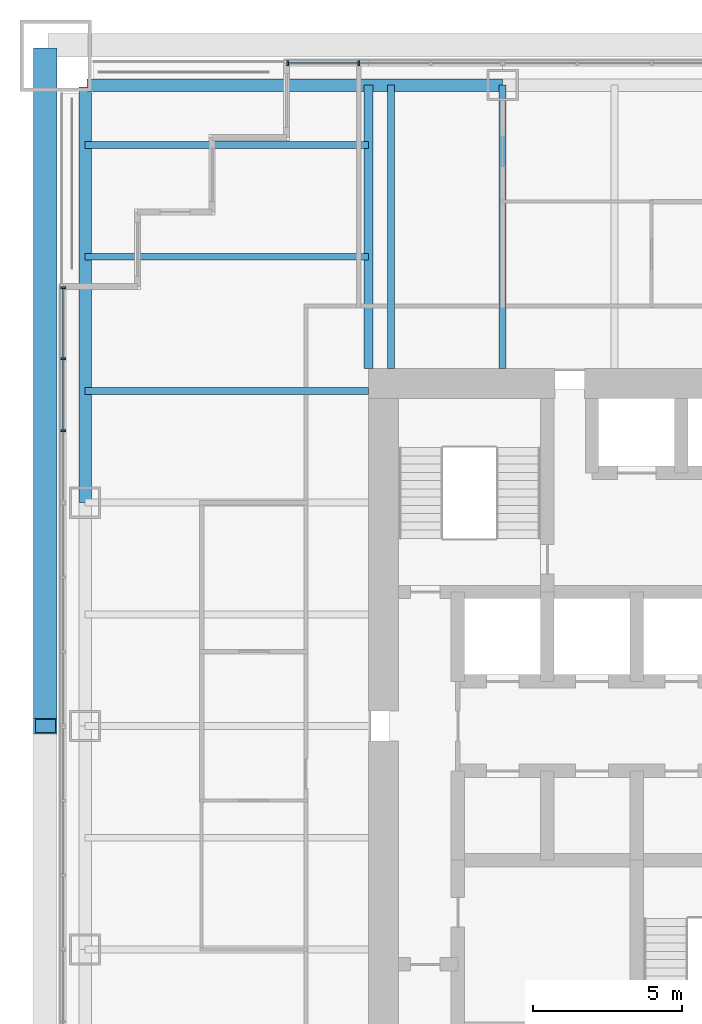
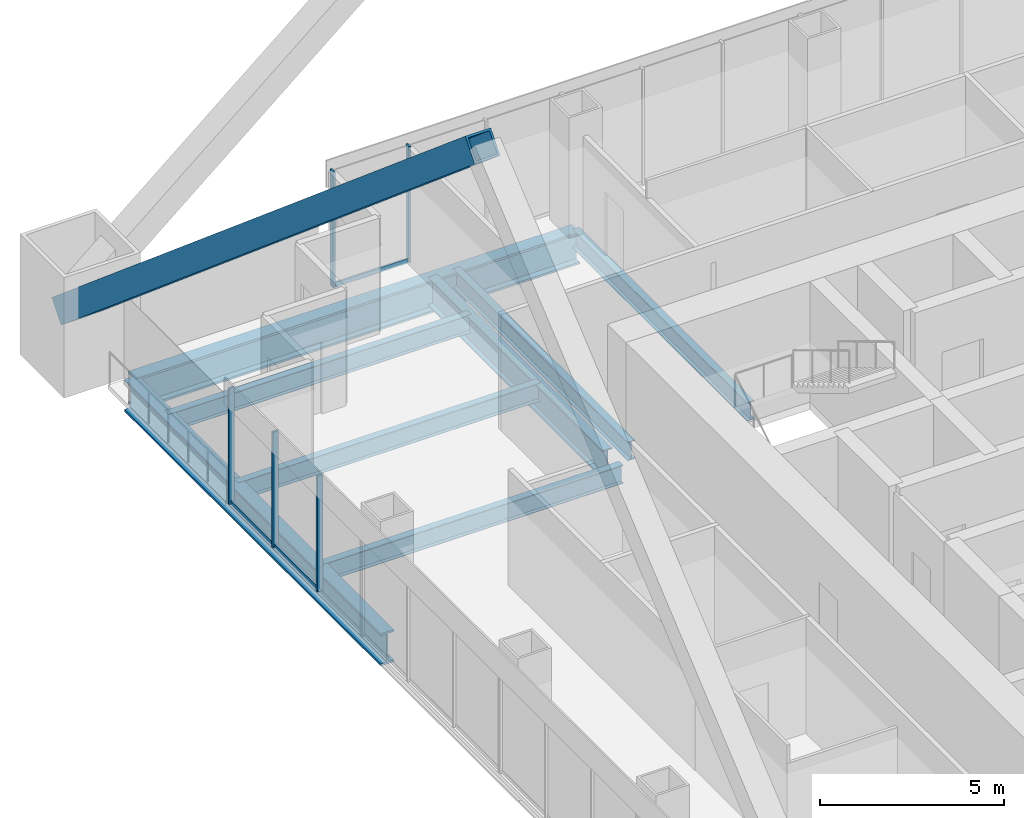
# One storey, part 9 of 19: 9 members, 8 beams, 2 elements without a shape of their own.
"""IFC4 building model written with IfcOpenShell, lengths in metres."""

from ifc_helpers import new_model, si_unit, direction, frame, origin, origin_2d, place, context, subcontext, project, spatial, rectangle, hollow_rectangle, i_section, extrude, material, material_profile, profile_set, type_object, element, aggregate, save


model = new_model("IFC4")

# Units and contexts
model_context = context("Model", 3, precision=1e-05, world=origin(), true_north=direction((0.0, 1.0)))
body_context = subcontext(model_context, "Body", "Model", "MODEL_VIEW")
ifc_project = project(units=[si_unit("LENGTHUNIT", "METRE"), si_unit("AREAUNIT", "SQUARE_METRE"), si_unit("VOLUMEUNIT", "CUBIC_METRE"), si_unit("PLANEANGLEUNIT", "RADIAN"), si_unit("MASSUNIT", "GRAM", prefix="KILO")], contexts=[model_context])

# Site, building, storey
site_placement = place(None, origin())
site = spatial("IfcSite", under=ifc_project, at=site_placement, CompositionType="ELEMENT")
building_placement = place(site_placement, origin())
building = spatial("IfcBuilding", under=site, at=building_placement, Name="Tarangal Relay Tower", CompositionType="ELEMENT")
storey_placement = place(building_placement, frame((0.0, 0.0, 213.89990234375)))
storey = spatial("IfcBuildingStorey", under=building, at=storey_placement, Name="L45", CompositionType="ELEMENT", Elevation=213.89990234375)

# Beams
ifc_material_1 = material(Name="Steel ASTM A992", Category="steel")
ifc_material_profile_1 = material_profile(ifc_material_1, i_section(OverallWidth=0.227783203125, OverallDepth=0.60205078125, WebThickness=0.010498046875, FlangeThickness=0.014892578125, at=origin_2d()), Name="W24X68")
ifc_profile_set_1 = profile_set([ifc_material_profile_1], Name="Steel ASTM A992")
beam_type_1 = type_object("IfcBeamType", Name="Corner beam W24X68", PredefinedType="JOIST", material=ifc_profile_set_1)
for number, where, z_axis, x_axis, name in (
    (1, (-12.0, 15.75, -0.450927734375), (-1.0, 0.0, 0.0), (0.0, -1.0, 0.0), "Corner beam CB11 W L45"),
    (2, (-12.0, 19.5, -0.450927734375), (-1.0, 0.0, 0.0), (0.0, -1.0, 0.0), "Corner beam CB11 W L45"),
):
    element("IfcBeam", number, at=place(storey_placement, frame(where, z_axis=z_axis, x_axis=x_axis)), inside=storey, type_object=beam_type_1, Name=name, PredefinedType="JOIST", context=body_context, shape_type="SweptSolid", body=[
        extrude(i_section(OverallWidth=0.227783203125, OverallDepth=0.60205078125, WebThickness=0.010498046875, FlangeThickness=0.014892578125, at=origin_2d()), origin(), (0.0, 0.0, 1.0), 9.514892578125),
    ])
ifc_material_profile_2 = material_profile(ifc_material_1, i_section(OverallWidth=0.307373046875, OverallDepth=0.9423828125, WebThickness=0.022216796875, FlangeThickness=0.039794921875, at=origin_2d()), Name="W36X232")
ifc_profile_set_2 = profile_set([ifc_material_profile_2], Name="Steel ASTM A992")
beam_type_2 = type_object("IfcBeamType", Name="Corner girder W36X232", PredefinedType="BEAM", material=ifc_profile_set_2)
beam_placement = place(storey_placement, frame((-12.0, 12.0, -0.62109375), z_axis=(0.0, 1.0, 0.0), x_axis=(-1.0, 0.0, 0.0)))
element("IfcBeam", 3, at=beam_placement, inside=storey, type_object=beam_type_2, Name="Corner girder CG4 W L45", PredefinedType="BEAM", context=body_context, shape_type="SweptSolid", body=[
    extrude(i_section(OverallWidth=0.307373046875, OverallDepth=0.9423828125, WebThickness=0.022216796875, FlangeThickness=0.039794921875, at=origin_2d()), origin(), (0.0, 0.0, 1.0), 9.514892578125),
])
ifc_material_profile_3 = material_profile(ifc_material_1, i_section(OverallWidth=0.41650390625, OverallDepth=1.0693359375, WebThickness=0.0390625, FlangeThickness=0.070068359375, at=origin_2d()), Name="W40X503")
ifc_profile_set_3 = profile_set([ifc_material_profile_3], Name="Steel ASTM A992")
beam_type_3 = type_object("IfcBeamType", Name="Edge girder W40X503", PredefinedType="SPANDREL", material=ifc_profile_set_3)
for number, where, z_axis, x_axis, name in (
    (4, (-21.449951171875, 21.514892578125, -0.6845703125), (1.0, 0.0, 0.0), (0.0, 1.0, 0.0), "Edge girder EG8 N L45"),
    (5, (-21.514892578125, 7.5, -0.6845703125), (0.0, 1.0, 0.0), (-1.0, 0.0, 0.0), "Edge girder EG8 W L45"),
):
    element("IfcBeam", number, at=place(storey_placement, frame(where, z_axis=z_axis, x_axis=x_axis)), inside=storey, type_object=beam_type_3, Name=name, PredefinedType="SPANDREL", context=body_context, shape_type="SweptSolid", body=[
        extrude(i_section(OverallWidth=0.41650390625, OverallDepth=1.0693359375, WebThickness=0.0390625, FlangeThickness=0.070068359375, at=origin_2d()), origin(), (0.0, 0.0, 1.0), 13.949951171875),
    ])
ifc_material_profile_4 = material_profile(ifc_material_1, i_section(OverallWidth=0.22900390625, OverallDepth=0.612060546875, WebThickness=0.011962890625, FlangeThickness=0.01953125, at=origin_2d()), Name="W24X84")
ifc_profile_set_4 = profile_set([ifc_material_profile_4], Name="Steel ASTM A992")
beam_type_4 = type_object("IfcBeamType", Name="Floor beam W24X84", PredefinedType="BEAM", material=ifc_profile_set_4)
for number, where, z_axis, x_axis, name in (
    (6, (-11.25, 12.0, -0.455810546875), (0.0, 1.0, 0.0), (-1.0, 0.0, 0.0), "Floor beam RB12 N L45"),
    (7, (-7.5, 12.0, -0.455810546875), (0.0, 1.0, 0.0), (-1.0, 0.0, 0.0), "Floor beam RB12 N L45"),
    (8, (-12.0, 11.25, -0.455810546875), (-1.0, 0.0, 0.0), (0.0, -1.0, 0.0), "Floor beam RB12 W L45"),
):
    element("IfcBeam", number, at=place(storey_placement, frame(where, z_axis=z_axis, x_axis=x_axis)), inside=storey, type_object=beam_type_4, Name=name, PredefinedType="BEAM", context=body_context, shape_type="SweptSolid", body=[
        extrude(i_section(OverallWidth=0.22900390625, OverallDepth=0.612060546875, WebThickness=0.011962890625, FlangeThickness=0.01953125, at=origin_2d()), origin(), (0.0, 0.0, 1.0), 9.514892578125),
    ])

# Member
ifc_material_2 = material(Name="Steel ASTM A572 Grade 50", Category="steel")
ifc_material_profile_5 = material_profile(ifc_material_2, hollow_rectangle(XDim=0.800048828125, YDim=0.800048828125, WallThickness=0.06494140625, at=origin_2d()), Name="BOX800X800X65")
ifc_profile_set_5 = profile_set([ifc_material_profile_5], Name="Steel ASTM A572 Grade 50")
member_type_1 = type_object("IfcMemberType", Name="Mega brace BOX800X800X65", PredefinedType="BRACE", material=ifc_profile_set_5)
member_1_placement = place(storey_placement, frame((-22.85009765625, 22.5, 2.0), z_axis=(0.0, -0.764029915847, 0.645180817826), x_axis=(1.0, 0.0, 0.0)))
element("IfcMember", 9, at=member_1_placement, inside=storey, type_object=member_type_1, Name="Mega brace MB3 W face module 2", PredefinedType="BRACE", context=body_context, shape_type="SweptSolid", body=[
    extrude(hollow_rectangle(XDim=0.800048828125, YDim=0.800048828125, WallThickness=0.06494140625, at=origin_2d()), origin(), (0.0, 0.0, 1.0), 29.44921875),
])

# Curtain wall, members
ifc_material_3 = material(Name="Unitised curtain wall, dark glass and black aluminium", Category="aluminium")
curtain_wall_type = type_object("IfcCurtainWallType", Name="Curtain wall CW-A", PredefinedType="USERDEFINED", material=ifc_material_3)
curtain_wall_1_placement = place(storey_placement, origin())
curtain_wall_1 = element("IfcCurtainWall", 10, at=curtain_wall_1_placement, inside=storey, type_object=curtain_wall_type, Name="Curtain wall CW-A N facade L45", ObjectType="UNITISED CURTAIN WALL", PredefinedType="USERDEFINED")
ifc_material_4 = material(Name="Black anodised aluminium mullion", Category="aluminium")
ifc_material_profile_6 = material_profile(ifc_material_4, rectangle(XDim=0.175048828125, YDim=0.06494140625, at=origin_2d()), Name="CW-AM 65X175")
ifc_profile_set_6 = profile_set([ifc_material_profile_6], Name="Black anodised aluminium mullion")
member_type_2 = type_object("IfcMemberType", Name="Mullion CW-A 65 x 175", PredefinedType="MULLION", material=ifc_profile_set_6)
member_2_placement = place(storey_placement, frame((-14.717529296875, 22.25, 0.0), z_axis=(0.0, 0.0, 1.0), x_axis=(0.0, 1.0, 0.0)))
member_2 = element("IfcMember", 11, at=member_2_placement, type_object=member_type_2, Name="CW-A mullion 1", PredefinedType="MULLION", context=body_context, shape_type="SweptSolid", body=[
    extrude(rectangle(XDim=0.175048828125, YDim=0.06494140625, at=origin_2d()), origin(), (0.0, 0.0, 1.0), 3.85009765625),
])
member_3_placement = place(storey_placement, frame((-12.333251953125, 22.25, 0.0), z_axis=(0.0, 0.0, 1.0), x_axis=(0.0, 1.0, 0.0)))
member_3 = element("IfcMember", 12, at=member_3_placement, type_object=member_type_2, Name="CW-A mullion 2", PredefinedType="MULLION", context=body_context, shape_type="SweptSolid", body=[
    extrude(rectangle(XDim=0.175048828125, YDim=0.06494140625, at=origin_2d()), origin(), (0.0, 0.0, 1.0), 3.85009765625),
])

curtain_wall_2_placement = place(storey_placement, origin())
curtain_wall_2 = element("IfcCurtainWall", 13, at=curtain_wall_2_placement, inside=storey, type_object=curtain_wall_type, Name="Curtain wall CW-A W facade L45", ObjectType="UNITISED CURTAIN WALL", PredefinedType="USERDEFINED")
member_4_placement = place(storey_placement, frame((-22.25, 9.916748046875, 0.0), z_axis=(0.0, 0.0, 1.0), x_axis=(-1.0, 0.0, 0.0)))
member_4 = element("IfcMember", 14, at=member_4_placement, type_object=member_type_2, Name="CW-A mullion 2", PredefinedType="MULLION", context=body_context, shape_type="SweptSolid", body=[
    extrude(rectangle(XDim=0.175048828125, YDim=0.06494140625, at=origin_2d()), origin(), (0.0, 0.0, 1.0), 3.85009765625),
])
member_5_placement = place(storey_placement, frame((-22.25, 12.333251953125, 0.0), z_axis=(0.0, 0.0, 1.0), x_axis=(-1.0, 0.0, 0.0)))
member_5 = element("IfcMember", 15, at=member_5_placement, type_object=member_type_2, Name="CW-A mullion 3", PredefinedType="MULLION", context=body_context, shape_type="SweptSolid", body=[
    extrude(rectangle(XDim=0.175048828125, YDim=0.06494140625, at=origin_2d()), origin(), (0.0, 0.0, 1.0), 3.85009765625),
])
member_6_placement = place(storey_placement, frame((-22.25, 14.717529296875, 0.0), z_axis=(0.0, 0.0, 1.0), x_axis=(-1.0, 0.0, 0.0)))
member_6 = element("IfcMember", 16, at=member_6_placement, type_object=member_type_2, Name="CW-A mullion 4", PredefinedType="MULLION", context=body_context, shape_type="SweptSolid", body=[
    extrude(rectangle(XDim=0.175048828125, YDim=0.06494140625, at=origin_2d()), origin(), (0.0, 0.0, 1.0), 3.85009765625),
])

# Member
ifc_material_5 = material(Name="Black anodised aluminium transom", Category="aluminium")
ifc_material_profile_7 = material_profile(ifc_material_5, rectangle(XDim=0.06494140625, YDim=0.14990234375, at=origin_2d()), Name="CW-AT 65X150")
ifc_profile_set_7 = profile_set([ifc_material_profile_7], Name="Black anodised aluminium transom")
member_type_3 = type_object("IfcMemberType", Name="Transom CW-A 65 x 150", PredefinedType="USERDEFINED", material=ifc_profile_set_7)
member_7_placement = place(storey_placement, frame((-14.68505859375, 22.25, 0.03271484375), z_axis=(1.0, 0.0, 0.0), x_axis=(0.0, 1.0, 0.0)))
member_7 = element("IfcMember", 17, at=member_7_placement, type_object=member_type_3, Name="CW-A transom 1.1", ObjectType="TRANSOM", PredefinedType="USERDEFINED", context=body_context, shape_type="SweptSolid", body=[
    extrude(rectangle(XDim=0.06494140625, YDim=0.14990234375, at=origin_2d()), origin(), (0.0, 0.0, 1.0), 2.3193359375),
])

aggregate(curtain_wall_1, [member_2, member_3, member_7])

member_8_placement = place(storey_placement, frame((-22.25, 9.94921875, 0.03271484375), z_axis=(0.0, 1.0, 0.0), x_axis=(-1.0, 0.0, 0.0)))
member_8 = element("IfcMember", 18, at=member_8_placement, type_object=member_type_3, Name="CW-A transom 2.1", ObjectType="TRANSOM", PredefinedType="USERDEFINED", context=body_context, shape_type="SweptSolid", body=[
    extrude(rectangle(XDim=0.06494140625, YDim=0.14990234375, at=origin_2d()), origin(), (0.0, 0.0, 1.0), 2.3515625),
])

member_9_placement = place(storey_placement, frame((-22.25, 12.36572265625, 0.03271484375), z_axis=(0.0, 1.0, 0.0), x_axis=(-1.0, 0.0, 0.0)))
member_9 = element("IfcMember", 19, at=member_9_placement, type_object=member_type_3, Name="CW-A transom 3.1", ObjectType="TRANSOM", PredefinedType="USERDEFINED", context=body_context, shape_type="SweptSolid", body=[
    extrude(rectangle(XDim=0.06494140625, YDim=0.14990234375, at=origin_2d()), origin(), (0.0, 0.0, 1.0), 2.3193359375),
])

aggregate(curtain_wall_2, [member_4, member_5, member_6, member_8, member_9])

save(model, "model.ifc")
